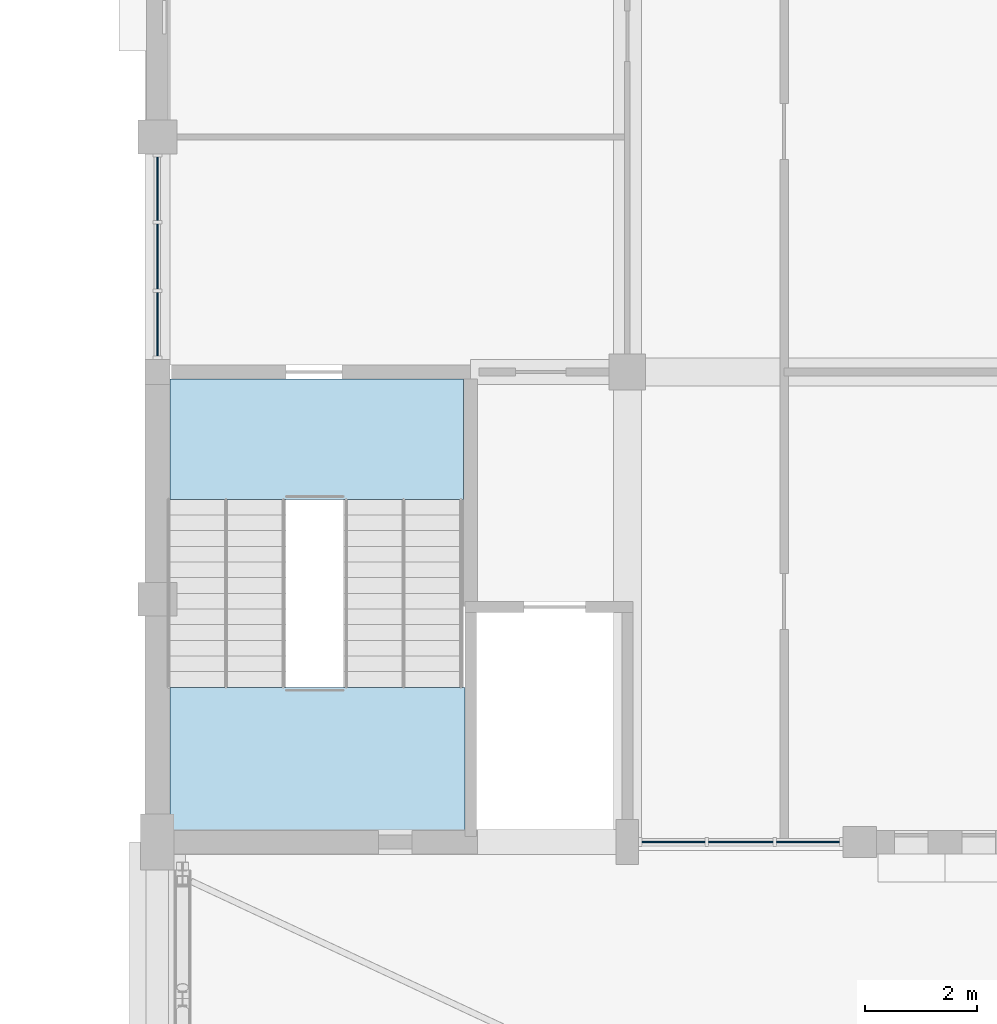
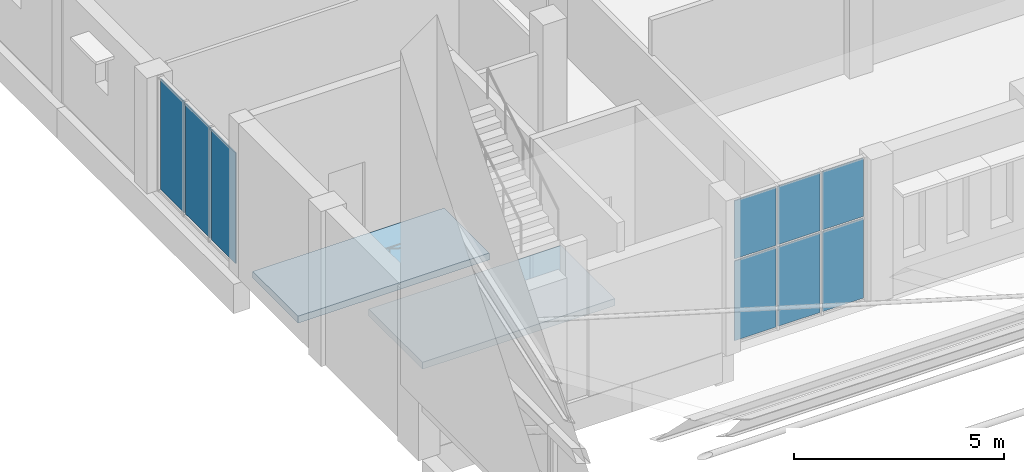
# One storey, part 62 of 101: 9 plates, 2 slabs, 3 elements without a shape of their own.
"""IFC4 building model written with IfcOpenShell, lengths in metres."""

from ifc_helpers import new_model, si_unit, direction, frame, origin, origin_2d, place, context, subcontext, project, spatial, polyline, rectangle, outline, extrude, material, layer, layer_set, type_object, element, aggregate, save


model = new_model("IFC4")

# Units and contexts
model_context = context("Model", 3, precision=1e-05, world=origin(), true_north=direction((0.0, 1.0)))
body_context = subcontext(model_context, "Body", "Model", "MODEL_VIEW")
ifc_project = project(units=[si_unit("LENGTHUNIT", "METRE"), si_unit("AREAUNIT", "SQUARE_METRE"), si_unit("VOLUMEUNIT", "CUBIC_METRE"), si_unit("PLANEANGLEUNIT", "RADIAN"), si_unit("MASSUNIT", "GRAM", prefix="KILO")], contexts=[model_context])

# Site, building, storey
site_placement = place(None, origin())
site = spatial("IfcSite", under=ifc_project, at=site_placement, CompositionType="ELEMENT")
building_placement = place(site_placement, origin())
building = spatial("IfcBuilding", under=site, at=building_placement, Name="Fescue Hill Polytechnic", CompositionType="ELEMENT")
storey_placement = place(building_placement, frame((0.0, 0.0, 9.0)))
storey = spatial("IfcBuildingStorey", under=building, at=storey_placement, Name="L02", CompositionType="ELEMENT", Elevation=9.0)

# Curtain wall, plates
ifc_material_1 = material(Name="Glass", Category="glass")
curtain_wall_type = type_object("IfcCurtainWallType", Name="Curtain wall structural glazing", PredefinedType="NOTDEFINED", material=ifc_material_1)
curtain_wall_1_placement = place(storey_placement, origin())
curtain_wall_1 = element("IfcCurtainWall", 1, at=curtain_wall_1_placement, inside=storey, type_object=curtain_wall_type, Name="CW-L02-V4-X1", PredefinedType="NOTDEFINED")
ifc_layer_1 = layer(ifc_material_1, 0.028076171875)
ifc_layer_set_1 = layer_set([ifc_layer_1], Name="Glass")
plate_type = type_object("IfcPlateType", Name="Panel glazing 28", PredefinedType="CURTAIN_PANEL", material=ifc_layer_set_1)
plate_1_placement = place(storey_placement, frame((0.0, 62.072509765625, 0.06005859375), z_axis=(0.0, 0.0, 1.0), x_axis=(0.0, -1.0, 0.0)))
plate_1 = element("IfcPlate", 2, at=plate_1_placement, type_object=plate_type, Name="CW122 panel 1.1", PredefinedType="CURTAIN_PANEL", context=body_context, shape_type="SweptSolid", body=[
    extrude(rectangle(XDim=1.135009765625, YDim=0.028076171875, at=origin_2d()), origin(), (0.0, 0.0, 1.0), 3.2099609375),
])
plate_2_placement = place(storey_placement, frame((0.0, 60.862548828125, 0.06005859375), z_axis=(0.0, 0.0, 1.0), x_axis=(0.0, -1.0, 0.0)))
plate_2 = element("IfcPlate", 3, at=plate_2_placement, type_object=plate_type, Name="CW122 panel 2.1", PredefinedType="CURTAIN_PANEL", context=body_context, shape_type="SweptSolid", body=[
    extrude(rectangle(XDim=1.1650390625, YDim=0.028076171875, at=origin_2d()), origin(), (0.0, 0.0, 1.0), 3.2099609375),
])
plate_3_placement = place(storey_placement, frame((0.0, 59.652587890625, 0.06005859375), z_axis=(0.0, 0.0, 1.0), x_axis=(0.0, -1.0, 0.0)))
plate_3 = element("IfcPlate", 4, at=plate_3_placement, type_object=plate_type, Name="CW122 panel 3.1", PredefinedType="CURTAIN_PANEL", context=body_context, shape_type="SweptSolid", body=[
    extrude(rectangle(XDim=1.135009765625, YDim=0.028076171875, at=origin_2d()), origin(), (0.0, 0.0, 1.0), 3.2099609375),
])
aggregate(curtain_wall_1, [plate_1, plate_2, plate_3])

curtain_wall_2_placement = place(storey_placement, origin())
curtain_wall_2 = element("IfcCurtainWall", 5, at=curtain_wall_2_placement, inside=storey, type_object=curtain_wall_type, Name="CW-L02-V4-X4", PredefinedType="NOTDEFINED")
plate_4_placement = place(storey_placement, frame((9.223388671875, 50.39990234375, 0.06005859375), z_axis=(0.0, 0.0, 1.0), x_axis=(1.0, 0.0, 0.0)))
plate_4 = element("IfcPlate", 6, at=plate_4_placement, type_object=plate_type, Name="CW141 panel 1.1", PredefinedType="CURTAIN_PANEL", context=body_context, shape_type="SweptSolid", body=[
    extrude(rectangle(XDim=1.126708984375, YDim=0.028076171875, at=origin_2d()), origin(), (0.0, 0.0, 1.0), 2.31005859375),
])
plate_5_placement = place(storey_placement, frame((9.223388671875, 50.39990234375, 2.429931640625), z_axis=(0.0, 0.0, 1.0), x_axis=(1.0, 0.0, 0.0)))
plate_5 = element("IfcPlate", 7, at=plate_5_placement, type_object=plate_type, Name="CW141 panel 1.2", PredefinedType="CURTAIN_PANEL", context=body_context, shape_type="SweptSolid", body=[
    extrude(rectangle(XDim=1.126708984375, YDim=0.028076171875, at=origin_2d()), origin(), (0.0, 0.0, 1.0), 1.68994140625),
])
plate_6_placement = place(storey_placement, frame((10.425048828125, 50.39990234375, 0.06005859375), z_axis=(0.0, 0.0, 1.0), x_axis=(1.0, 0.0, 0.0)))
plate_6 = element("IfcPlate", 8, at=plate_6_placement, type_object=plate_type, Name="CW141 panel 2.1", PredefinedType="CURTAIN_PANEL", context=body_context, shape_type="SweptSolid", body=[
    extrude(rectangle(XDim=1.15673828125, YDim=0.028076171875, at=origin_2d()), origin(), (0.0, 0.0, 1.0), 2.31005859375),
])
plate_7_placement = place(storey_placement, frame((10.425048828125, 50.39990234375, 2.429931640625), z_axis=(0.0, 0.0, 1.0), x_axis=(1.0, 0.0, 0.0)))
plate_7 = element("IfcPlate", 9, at=plate_7_placement, type_object=plate_type, Name="CW141 panel 2.2", PredefinedType="CURTAIN_PANEL", context=body_context, shape_type="SweptSolid", body=[
    extrude(rectangle(XDim=1.15673828125, YDim=0.028076171875, at=origin_2d()), origin(), (0.0, 0.0, 1.0), 1.68994140625),
])
plate_8_placement = place(storey_placement, frame((11.626708984375, 50.39990234375, 0.06005859375), z_axis=(0.0, 0.0, 1.0), x_axis=(1.0, 0.0, 0.0)))
plate_8 = element("IfcPlate", 10, at=plate_8_placement, type_object=plate_type, Name="CW141 panel 3.1", PredefinedType="CURTAIN_PANEL", context=body_context, shape_type="SweptSolid", body=[
    extrude(rectangle(XDim=1.126708984375, YDim=0.028076171875, at=origin_2d()), origin(), (0.0, 0.0, 1.0), 2.31005859375),
])
plate_9_placement = place(storey_placement, frame((11.626708984375, 50.39990234375, 2.429931640625), z_axis=(0.0, 0.0, 1.0), x_axis=(1.0, 0.0, 0.0)))
plate_9 = element("IfcPlate", 11, at=plate_9_placement, type_object=plate_type, Name="CW141 panel 3.2", PredefinedType="CURTAIN_PANEL", context=body_context, shape_type="SweptSolid", body=[
    extrude(rectangle(XDim=1.126708984375, YDim=0.028076171875, at=origin_2d()), origin(), (0.0, 0.0, 1.0), 1.68994140625),
])
aggregate(curtain_wall_2, [plate_4, plate_5, plate_6, plate_7, plate_8, plate_9])

# Stair, slabs
ifc_material_2 = material(Name="Concrete 35 MPa", Category="concrete")
stair_type = type_object("IfcStairType", Name="Half-turn stair 2150 flights", PredefinedType="HALF_TURN_STAIR", material=ifc_material_2)
stair_placement = place(storey_placement, origin())
stair = element("IfcStair", 12, at=stair_placement, inside=storey, type_object=stair_type, Name="L02 ST-V4-1 stair", PredefinedType="HALF_TURN_STAIR")
ifc_layer_2 = layer(ifc_material_2, 0.199951171875)
ifc_layer_set_2 = layer_set([ifc_layer_2], Name="Concrete 35 MPa")
slab_type = type_object("IfcSlabType", Name="Stair landing slab 200", PredefinedType="LANDING", material=ifc_layer_set_2)
slab_1_placement = place(storey_placement, frame((0.0, 0.0, 2.050048828125)))
slab_1 = element("IfcSlab", 13, at=slab_1_placement, type_object=slab_type, Name="S15 landing 1", PredefinedType="LANDING", context=body_context, shape_type="SweptSolid", body=[
    extrude(outline(polyline([(0.22509765625, 50.610107421875), (5.5, 50.610107421875), (5.5, 53.1650390625), (0.22509765625, 53.1650390625), (0.22509765625, 50.610107421875)])), origin(), (0.0, 0.0, 1.0), 0.199951171875),
])
slab_2_placement = place(storey_placement, frame((0.0, 0.0, -0.199951171875)))
slab_2 = element("IfcSlab", 14, at=slab_2_placement, type_object=slab_type, Name="S15 landing 2", PredefinedType="LANDING", context=body_context, shape_type="SweptSolid", body=[
    extrude(outline(polyline([(0.22509765625, 56.52490234375), (5.47509765625, 56.52490234375), (5.47509765625, 58.675048828125), (0.22509765625, 58.675048828125), (0.22509765625, 56.52490234375)])), origin(), (0.0, 0.0, 1.0), 0.199951171875),
])
aggregate(stair, [slab_1, slab_2])

save(model, "model.ifc")
